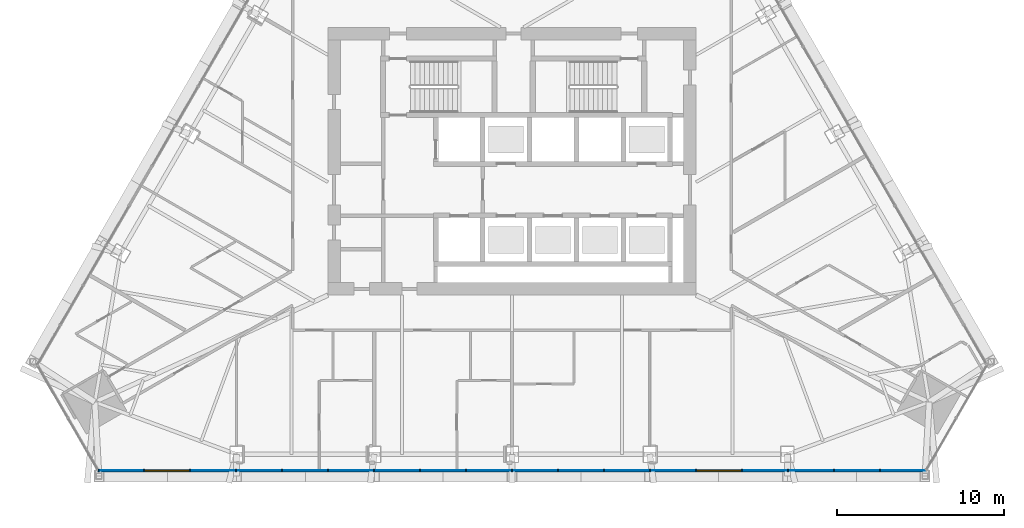
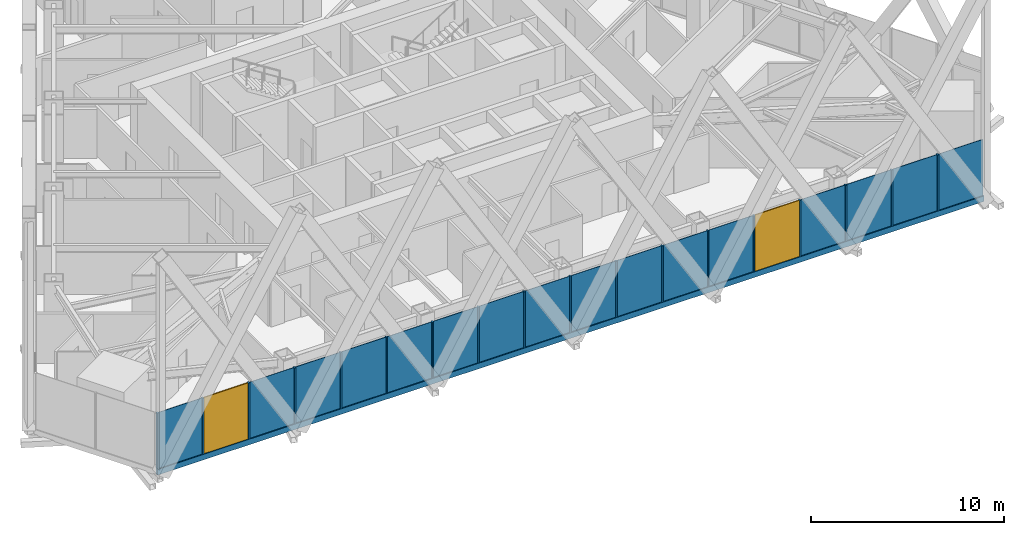
# One storey, part 3 of 19: 19 members, 16 plates, 2 windows, 2 openings, 1 element without a shape of its own.
"""IFC4 building model written with IfcOpenShell, lengths in metres."""

from ifc_helpers import new_model, si_unit, direction, frame, frame_2d, origin, origin_2d, place, context, subcontext, project, spatial, polyline, rectangle, outline, extrude, material, layer, layer_set, material_profile, profile_set, type_object, element, fill, aggregate, save


model = new_model("IFC4")

# Units and contexts
model_context = context("Model", 3, precision=1e-05, world=origin(), true_north=direction((0.0, 1.0)))
body_context = subcontext(model_context, "Body", "Model", "MODEL_VIEW")
ifc_project = project(units=[si_unit("LENGTHUNIT", "METRE"), si_unit("AREAUNIT", "SQUARE_METRE"), si_unit("VOLUMEUNIT", "CUBIC_METRE"), si_unit("PLANEANGLEUNIT", "RADIAN"), si_unit("MASSUNIT", "GRAM", prefix="KILO")], contexts=[model_context])

# Site, building, storey
site_placement = place(None, origin())
site = spatial("IfcSite", under=ifc_project, at=site_placement, CompositionType="ELEMENT")
building_placement = place(site_placement, origin())
building = spatial("IfcBuilding", under=site, at=building_placement, Name="Firuza Gate Tower and Library", CompositionType="ELEMENT")
storey_placement = place(building_placement, frame((0.0, 0.0, 233.800048828125)))
storey = spatial("IfcBuildingStorey", under=building, at=storey_placement, Name="L55", CompositionType="ELEMENT", Elevation=233.800048828125)

# Curtain wall, openings, members, plates, windows
ifc_material_1 = material(Name="Aluminium 6063-T6", Category="aluminium")
ifc_layer_1 = layer(ifc_material_1, 0.14990234375)
ifc_layer_set_1 = layer_set([ifc_layer_1], Name="Unitised curtain wall, hotel")
curtain_wall_type = type_object("IfcCurtainWallType", Name="Unitised curtain wall, hotel", PredefinedType="NOTDEFINED", material=ifc_layer_set_1)
curtain_wall_placement = place(storey_placement, origin())
curtain_wall = element("IfcCurtainWall", 1, at=curtain_wall_placement, inside=storey, type_object=curtain_wall_type, Name="CW2 L55 S face", PredefinedType="NOTDEFINED")
opening_1_placement = place(curtain_wall_placement, frame((53.066650390625, 56.52099609375, 0.14990234375), z_axis=(0.0, 0.0, 1.0), x_axis=(1.0, 0.0, 0.0)))
opening_1 = element("IfcOpeningElement", 2, at=opening_1_placement, cuts=curtain_wall, Name="Opening WD1-003", PredefinedType="OPENING", context=body_context, shape_type="SweptSolid", body=[
    extrude(rectangle(XDim=2.666748046875, YDim=3.550048828125, at=frame_2d((1.33349609375, 1.77490234375))), frame((0.0, 0.0849609375, 0.0), z_axis=(0.0, -1.0, 0.0), x_axis=(1.0, 0.0, 0.0)), (0.0, 0.0, 1.0), 0.169921875),
])
opening_2_placement = place(curtain_wall_placement, frame((86.026611328125, 56.52099609375, 0.14990234375), z_axis=(0.0, 0.0, 1.0), x_axis=(1.0, 0.0, 0.0)))
opening_2 = element("IfcOpeningElement", 3, at=opening_2_placement, cuts=curtain_wall, Name="Opening WD1-004", PredefinedType="OPENING", context=body_context, shape_type="SweptSolid", body=[
    extrude(rectangle(XDim=2.666748046875, YDim=3.550048828125, at=frame_2d((1.33349609375, 1.77490234375))), frame((0.0, 0.0849609375, 0.0), z_axis=(0.0, -1.0, 0.0), x_axis=(1.0, 0.0, 0.0)), (0.0, 0.0, 1.0), 0.169921875),
])
ifc_material_2 = material(Name="Aluminium 6063-T6", Category="aluminium")
ifc_material_profile_1 = material_profile(ifc_material_2, rectangle(XDim=0.14990234375, YDim=0.080078125, at=origin_2d()))
ifc_profile_set_1 = profile_set([ifc_material_profile_1], Name="Aluminium 6063-T6")
member_type_1 = type_object("IfcMemberType", Name="Curtain wall mullion 80x150", PredefinedType="MULLION", material=ifc_profile_set_1)
member_1_placement = place(storey_placement, frame((50.320068359375, 56.52099609375, 0.14990234375), z_axis=(0.0, 0.0, 1.0), x_axis=(0.0, 1.0, 0.0)))
member_1 = element("IfcMember", 4, at=member_1_placement, type_object=member_type_1, Name="Mullion", PredefinedType="MULLION", context=body_context, shape_type="SweptSolid", body=[
    extrude(rectangle(XDim=0.14990234375, YDim=0.080078125, at=origin_2d()), origin(), (0.0, 0.0, 1.0), 3.550048828125),
])
member_2_placement = place(storey_placement, frame((53.026611328125, 56.52099609375, 0.14990234375), z_axis=(0.0, 0.0, 1.0), x_axis=(0.0, 1.0, 0.0)))
member_2 = element("IfcMember", 5, at=member_2_placement, type_object=member_type_1, Name="Mullion", PredefinedType="MULLION", context=body_context, shape_type="SweptSolid", body=[
    extrude(rectangle(XDim=0.14990234375, YDim=0.080078125, at=origin_2d()), origin(), (0.0, 0.0, 1.0), 3.550048828125),
])
member_3_placement = place(storey_placement, frame((55.7734375, 56.52099609375, 0.14990234375), z_axis=(0.0, 0.0, 1.0), x_axis=(0.0, 1.0, 0.0)))
member_3 = element("IfcMember", 6, at=member_3_placement, type_object=member_type_1, Name="Mullion", PredefinedType="MULLION", context=body_context, shape_type="SweptSolid", body=[
    extrude(rectangle(XDim=0.14990234375, YDim=0.080078125, at=origin_2d()), origin(), (0.0, 0.0, 1.0), 3.550048828125),
])
member_4_placement = place(storey_placement, frame((58.52001953125, 56.52099609375, 0.14990234375), z_axis=(0.0, 0.0, 1.0), x_axis=(0.0, 1.0, 0.0)))
member_4 = element("IfcMember", 7, at=member_4_placement, type_object=member_type_1, Name="Mullion", PredefinedType="MULLION", context=body_context, shape_type="SweptSolid", body=[
    extrude(rectangle(XDim=0.14990234375, YDim=0.080078125, at=origin_2d()), origin(), (0.0, 0.0, 1.0), 3.550048828125),
])
member_5_placement = place(storey_placement, frame((61.2666015625, 56.52099609375, 0.14990234375), z_axis=(0.0, 0.0, 1.0), x_axis=(0.0, 1.0, 0.0)))
member_5 = element("IfcMember", 8, at=member_5_placement, type_object=member_type_1, Name="Mullion", PredefinedType="MULLION", context=body_context, shape_type="SweptSolid", body=[
    extrude(rectangle(XDim=0.14990234375, YDim=0.080078125, at=origin_2d()), origin(), (0.0, 0.0, 1.0), 3.550048828125),
])
member_6_placement = place(storey_placement, frame((64.013427734375, 56.52099609375, 0.14990234375), z_axis=(0.0, 0.0, 1.0), x_axis=(0.0, 1.0, 0.0)))
member_6 = element("IfcMember", 9, at=member_6_placement, type_object=member_type_1, Name="Mullion", PredefinedType="MULLION", context=body_context, shape_type="SweptSolid", body=[
    extrude(rectangle(XDim=0.14990234375, YDim=0.080078125, at=origin_2d()), origin(), (0.0, 0.0, 1.0), 3.550048828125),
])
member_7_placement = place(storey_placement, frame((66.760009765625, 56.52099609375, 0.14990234375), z_axis=(0.0, 0.0, 1.0), x_axis=(0.0, 1.0, 0.0)))
member_7 = element("IfcMember", 10, at=member_7_placement, type_object=member_type_1, Name="Mullion", PredefinedType="MULLION", context=body_context, shape_type="SweptSolid", body=[
    extrude(rectangle(XDim=0.14990234375, YDim=0.080078125, at=origin_2d()), origin(), (0.0, 0.0, 1.0), 3.550048828125),
])
member_8_placement = place(storey_placement, frame((69.506591796875, 56.52099609375, 0.14990234375), z_axis=(0.0, 0.0, 1.0), x_axis=(0.0, 1.0, 0.0)))
member_8 = element("IfcMember", 11, at=member_8_placement, type_object=member_type_1, Name="Mullion", PredefinedType="MULLION", context=body_context, shape_type="SweptSolid", body=[
    extrude(rectangle(XDim=0.14990234375, YDim=0.080078125, at=origin_2d()), origin(), (0.0, 0.0, 1.0), 3.550048828125),
])
member_9_placement = place(storey_placement, frame((72.25341796875, 56.52099609375, 0.14990234375), z_axis=(0.0, 0.0, 1.0), x_axis=(0.0, 1.0, 0.0)))
member_9 = element("IfcMember", 12, at=member_9_placement, type_object=member_type_1, Name="Mullion", PredefinedType="MULLION", context=body_context, shape_type="SweptSolid", body=[
    extrude(rectangle(XDim=0.14990234375, YDim=0.080078125, at=origin_2d()), origin(), (0.0, 0.0, 1.0), 3.550048828125),
])
member_10_placement = place(storey_placement, frame((75.0, 56.52099609375, 0.14990234375), z_axis=(0.0, 0.0, 1.0), x_axis=(0.0, 1.0, 0.0)))
member_10 = element("IfcMember", 13, at=member_10_placement, type_object=member_type_1, Name="Mullion", PredefinedType="MULLION", context=body_context, shape_type="SweptSolid", body=[
    extrude(rectangle(XDim=0.14990234375, YDim=0.080078125, at=origin_2d()), origin(), (0.0, 0.0, 1.0), 3.550048828125),
])
member_11_placement = place(storey_placement, frame((77.74658203125, 56.52099609375, 0.14990234375), z_axis=(0.0, 0.0, 1.0), x_axis=(0.0, 1.0, 0.0)))
member_11 = element("IfcMember", 14, at=member_11_placement, type_object=member_type_1, Name="Mullion", PredefinedType="MULLION", context=body_context, shape_type="SweptSolid", body=[
    extrude(rectangle(XDim=0.14990234375, YDim=0.080078125, at=origin_2d()), origin(), (0.0, 0.0, 1.0), 3.550048828125),
])
member_12_placement = place(storey_placement, frame((80.493408203125, 56.52099609375, 0.14990234375), z_axis=(0.0, 0.0, 1.0), x_axis=(0.0, 1.0, 0.0)))
member_12 = element("IfcMember", 15, at=member_12_placement, type_object=member_type_1, Name="Mullion", PredefinedType="MULLION", context=body_context, shape_type="SweptSolid", body=[
    extrude(rectangle(XDim=0.14990234375, YDim=0.080078125, at=origin_2d()), origin(), (0.0, 0.0, 1.0), 3.550048828125),
])
member_13_placement = place(storey_placement, frame((83.239990234375, 56.52099609375, 0.14990234375), z_axis=(0.0, 0.0, 1.0), x_axis=(0.0, 1.0, 0.0)))
member_13 = element("IfcMember", 16, at=member_13_placement, type_object=member_type_1, Name="Mullion", PredefinedType="MULLION", context=body_context, shape_type="SweptSolid", body=[
    extrude(rectangle(XDim=0.14990234375, YDim=0.080078125, at=origin_2d()), origin(), (0.0, 0.0, 1.0), 3.550048828125),
])
member_14_placement = place(storey_placement, frame((85.986572265625, 56.52099609375, 0.14990234375), z_axis=(0.0, 0.0, 1.0), x_axis=(0.0, 1.0, 0.0)))
member_14 = element("IfcMember", 17, at=member_14_placement, type_object=member_type_1, Name="Mullion", PredefinedType="MULLION", context=body_context, shape_type="SweptSolid", body=[
    extrude(rectangle(XDim=0.14990234375, YDim=0.080078125, at=origin_2d()), origin(), (0.0, 0.0, 1.0), 3.550048828125),
])
member_15_placement = place(storey_placement, frame((88.7333984375, 56.52099609375, 0.14990234375), z_axis=(0.0, 0.0, 1.0), x_axis=(0.0, 1.0, 0.0)))
member_15 = element("IfcMember", 18, at=member_15_placement, type_object=member_type_1, Name="Mullion", PredefinedType="MULLION", context=body_context, shape_type="SweptSolid", body=[
    extrude(rectangle(XDim=0.14990234375, YDim=0.080078125, at=origin_2d()), origin(), (0.0, 0.0, 1.0), 3.550048828125),
])
member_16_placement = place(storey_placement, frame((91.47998046875, 56.52099609375, 0.14990234375), z_axis=(0.0, 0.0, 1.0), x_axis=(0.0, 1.0, 0.0)))
member_16 = element("IfcMember", 19, at=member_16_placement, type_object=member_type_1, Name="Mullion", PredefinedType="MULLION", context=body_context, shape_type="SweptSolid", body=[
    extrude(rectangle(XDim=0.14990234375, YDim=0.080078125, at=origin_2d()), origin(), (0.0, 0.0, 1.0), 3.550048828125),
])
member_17_placement = place(storey_placement, frame((94.2265625, 56.52099609375, 0.14990234375), z_axis=(0.0, 0.0, 1.0), x_axis=(0.0, 1.0, 0.0)))
member_17 = element("IfcMember", 20, at=member_17_placement, type_object=member_type_1, Name="Mullion", PredefinedType="MULLION", context=body_context, shape_type="SweptSolid", body=[
    extrude(rectangle(XDim=0.14990234375, YDim=0.080078125, at=origin_2d()), origin(), (0.0, 0.0, 1.0), 3.550048828125),
])
member_18_placement = place(storey_placement, frame((96.973388671875, 56.52099609375, 0.14990234375), z_axis=(0.0, 0.0, 1.0), x_axis=(0.0, 1.0, 0.0)))
member_18 = element("IfcMember", 21, at=member_18_placement, type_object=member_type_1, Name="Mullion", PredefinedType="MULLION", context=body_context, shape_type="SweptSolid", body=[
    extrude(rectangle(XDim=0.14990234375, YDim=0.080078125, at=origin_2d()), origin(), (0.0, 0.0, 1.0), 3.550048828125),
])
ifc_material_3 = material(Name="Aluminium 6063-T6", Category="aluminium")
ifc_material_profile_2 = material_profile(ifc_material_3, rectangle(XDim=0.14990234375, YDim=0.35009765625, at=origin_2d()))
ifc_profile_set_2 = profile_set([ifc_material_profile_2], Name="Aluminium 6063-T6")
member_type_2 = type_object("IfcMemberType", Name="Curtain wall transom 350x150", PredefinedType="USERDEFINED", material=ifc_profile_set_2)
member_19_placement = place(storey_placement, frame((50.280029296875, 56.52099609375, -0.025146484375), z_axis=(1.0, 0.0, 0.0), x_axis=(0.0, 1.0, 0.0)))
member_19 = element("IfcMember", 22, at=member_19_placement, type_object=member_type_2, Name="Transom", ObjectType="TRANSOM", PredefinedType="USERDEFINED", context=body_context, shape_type="SweptSolid", body=[
    extrude(rectangle(XDim=0.14990234375, YDim=0.35009765625, at=origin_2d()), origin(), (0.0, 0.0, 1.0), 49.43994140625),
])
ifc_material_4 = material(Name="Fritted glass", Category="glass")
ifc_layer_2 = layer(ifc_material_4, 0.030029296875)
ifc_layer_set_2 = layer_set([ifc_layer_2], Name="Fritted glass unit, hotel")
plate_type_1 = type_object("IfcPlateType", Name="Fritted glass unit, hotel", PredefinedType="CURTAIN_PANEL", material=ifc_layer_set_2)
plate_1_placement = place(storey_placement, frame((61.306640625, 56.506103515625, 0.14990234375), z_axis=(0.0, -1.0, 0.0), x_axis=(1.0, 0.0, 0.0)))
plate_1 = element("IfcPlate", 23, at=plate_1_placement, type_object=plate_type_1, Name="Glass unit", PredefinedType="CURTAIN_PANEL", context=body_context, shape_type="SweptSolid", body=[
    extrude(outline(polyline([(0.0, 0.0), (2.666748046875, 0.0), (2.666748046875, 3.550048828125), (0.0, 3.550048828125), (0.0, 0.0)])), origin(), (0.0, 0.0, -1.0), 0.030029296875),
])
plate_2_placement = place(storey_placement, frame((69.546630859375, 56.506103515625, 0.14990234375), z_axis=(0.0, -1.0, 0.0), x_axis=(1.0, 0.0, 0.0)))
plate_2 = element("IfcPlate", 24, at=plate_2_placement, type_object=plate_type_1, Name="Glass unit", PredefinedType="CURTAIN_PANEL", context=body_context, shape_type="SweptSolid", body=[
    extrude(outline(polyline([(0.0, 0.0), (2.666748046875, 0.0), (2.666748046875, 3.550048828125), (0.0, 3.550048828125), (0.0, 0.0)])), origin(), (0.0, 0.0, -1.0), 0.030029296875),
])
plate_3_placement = place(storey_placement, frame((77.78662109375, 56.506103515625, 0.14990234375), z_axis=(0.0, -1.0, 0.0), x_axis=(1.0, 0.0, 0.0)))
plate_3 = element("IfcPlate", 25, at=plate_3_placement, type_object=plate_type_1, Name="Glass unit", PredefinedType="CURTAIN_PANEL", context=body_context, shape_type="SweptSolid", body=[
    extrude(outline(polyline([(0.0, 0.0), (2.666748046875, 0.0), (2.666748046875, 3.550048828125), (0.0, 3.550048828125), (0.0, 0.0)])), origin(), (0.0, 0.0, -1.0), 0.030029296875),
])
plate_4_placement = place(storey_placement, frame((94.2666015625, 56.506103515625, 0.14990234375), z_axis=(0.0, -1.0, 0.0), x_axis=(1.0, 0.0, 0.0)))
plate_4 = element("IfcPlate", 26, at=plate_4_placement, type_object=plate_type_1, Name="Glass unit", PredefinedType="CURTAIN_PANEL", context=body_context, shape_type="SweptSolid", body=[
    extrude(outline(polyline([(0.0, 0.0), (2.666748046875, 0.0), (2.666748046875, 3.550048828125), (0.0, 3.550048828125), (0.0, 0.0)])), origin(), (0.0, 0.0, -1.0), 0.030029296875),
])
ifc_material_5 = material(Name="Glazed ceramic tile")
ifc_layer_3 = layer(ifc_material_5, 0.030029296875)
ifc_layer_set_3 = layer_set([ifc_layer_3], Name="Opaque ceramic panel, hotel")
plate_type_2 = type_object("IfcPlateType", Name="Opaque ceramic panel, hotel", PredefinedType="CURTAIN_PANEL", material=ifc_layer_set_3)
plate_5_placement = place(storey_placement, frame((50.320068359375, 56.506103515625, 0.14990234375), z_axis=(0.0, -1.0, 0.0), x_axis=(1.0, 0.0, 0.0)))
plate_5 = element("IfcPlate", 27, at=plate_5_placement, type_object=plate_type_2, Name="Opaque ceramic panel", PredefinedType="CURTAIN_PANEL", context=body_context, shape_type="SweptSolid", body=[
    extrude(outline(polyline([(0.0, 0.0), (2.666748046875, 0.0), (2.666748046875, 3.550048828125), (0.0, 3.550048828125), (0.0, 0.0)])), origin(), (0.0, 0.0, -1.0), 0.030029296875),
])
plate_6_placement = place(storey_placement, frame((55.8134765625, 56.506103515625, 0.14990234375), z_axis=(0.0, -1.0, 0.0), x_axis=(1.0, 0.0, 0.0)))
plate_6 = element("IfcPlate", 28, at=plate_6_placement, type_object=plate_type_2, Name="Opaque ceramic panel", PredefinedType="CURTAIN_PANEL", context=body_context, shape_type="SweptSolid", body=[
    extrude(outline(polyline([(0.0, 0.0), (2.66650390625, 0.0), (2.66650390625, 3.550048828125), (0.0, 3.550048828125), (0.0, 0.0)])), origin(), (0.0, 0.0, -1.0), 0.030029296875),
])
plate_7_placement = place(storey_placement, frame((58.56005859375, 56.506103515625, 0.14990234375), z_axis=(0.0, -1.0, 0.0), x_axis=(1.0, 0.0, 0.0)))
plate_7 = element("IfcPlate", 29, at=plate_7_placement, type_object=plate_type_2, Name="Opaque ceramic panel", PredefinedType="CURTAIN_PANEL", context=body_context, shape_type="SweptSolid", body=[
    extrude(outline(polyline([(0.0, 0.0), (2.666748046875, 0.0), (2.666748046875, 3.550048828125), (0.0, 3.550048828125), (0.0, 0.0)])), origin(), (0.0, 0.0, -1.0), 0.030029296875),
])
plate_8_placement = place(storey_placement, frame((64.053466796875, 56.506103515625, 0.14990234375), z_axis=(0.0, -1.0, 0.0), x_axis=(1.0, 0.0, 0.0)))
plate_8 = element("IfcPlate", 30, at=plate_8_placement, type_object=plate_type_2, Name="Opaque ceramic panel", PredefinedType="CURTAIN_PANEL", context=body_context, shape_type="SweptSolid", body=[
    extrude(outline(polyline([(0.0, 0.0), (2.66650390625, 0.0), (2.66650390625, 3.550048828125), (0.0, 3.550048828125), (0.0, 0.0)])), origin(), (0.0, 0.0, -1.0), 0.030029296875),
])
plate_9_placement = place(storey_placement, frame((66.800048828125, 56.506103515625, 0.14990234375), z_axis=(0.0, -1.0, 0.0), x_axis=(1.0, 0.0, 0.0)))
plate_9 = element("IfcPlate", 31, at=plate_9_placement, type_object=plate_type_2, Name="Opaque ceramic panel", PredefinedType="CURTAIN_PANEL", context=body_context, shape_type="SweptSolid", body=[
    extrude(outline(polyline([(0.0, 0.0), (2.666748046875, 0.0), (2.666748046875, 3.550048828125), (0.0, 3.550048828125), (0.0, 0.0)])), origin(), (0.0, 0.0, -1.0), 0.030029296875),
])
plate_10_placement = place(storey_placement, frame((72.29345703125, 56.506103515625, 0.14990234375), z_axis=(0.0, -1.0, 0.0), x_axis=(1.0, 0.0, 0.0)))
plate_10 = element("IfcPlate", 32, at=plate_10_placement, type_object=plate_type_2, Name="Opaque ceramic panel", PredefinedType="CURTAIN_PANEL", context=body_context, shape_type="SweptSolid", body=[
    extrude(outline(polyline([(0.0, 0.0), (2.66650390625, 0.0), (2.66650390625, 3.550048828125), (0.0, 3.550048828125), (0.0, 0.0)])), origin(), (0.0, 0.0, -1.0), 0.030029296875),
])
plate_11_placement = place(storey_placement, frame((75.0400390625, 56.506103515625, 0.14990234375), z_axis=(0.0, -1.0, 0.0), x_axis=(1.0, 0.0, 0.0)))
plate_11 = element("IfcPlate", 33, at=plate_11_placement, type_object=plate_type_2, Name="Opaque ceramic panel", PredefinedType="CURTAIN_PANEL", context=body_context, shape_type="SweptSolid", body=[
    extrude(outline(polyline([(0.0, 0.0), (2.66650390625, 0.0), (2.66650390625, 3.550048828125), (0.0, 3.550048828125), (0.0, 0.0)])), origin(), (0.0, 0.0, -1.0), 0.030029296875),
])
plate_12_placement = place(storey_placement, frame((80.533203125, 56.506103515625, 0.14990234375), z_axis=(0.0, -1.0, 0.0), x_axis=(1.0, 0.0, 0.0)))
plate_12 = element("IfcPlate", 34, at=plate_12_placement, type_object=plate_type_2, Name="Opaque ceramic panel", PredefinedType="CURTAIN_PANEL", context=body_context, shape_type="SweptSolid", body=[
    extrude(outline(polyline([(0.0, 0.0), (2.666748046875, 0.0), (2.666748046875, 3.550048828125), (0.0, 3.550048828125), (0.0, 0.0)])), origin(), (0.0, 0.0, -1.0), 0.030029296875),
])
plate_13_placement = place(storey_placement, frame((83.280029296875, 56.506103515625, 0.14990234375), z_axis=(0.0, -1.0, 0.0), x_axis=(1.0, 0.0, 0.0)))
plate_13 = element("IfcPlate", 35, at=plate_13_placement, type_object=plate_type_2, Name="Opaque ceramic panel", PredefinedType="CURTAIN_PANEL", context=body_context, shape_type="SweptSolid", body=[
    extrude(outline(polyline([(0.0, 0.0), (2.66650390625, 0.0), (2.66650390625, 3.550048828125), (0.0, 3.550048828125), (0.0, 0.0)])), origin(), (0.0, 0.0, -1.0), 0.030029296875),
])
plate_14_placement = place(storey_placement, frame((88.773193359375, 56.506103515625, 0.14990234375), z_axis=(0.0, -1.0, 0.0), x_axis=(1.0, 0.0, 0.0)))
plate_14 = element("IfcPlate", 36, at=plate_14_placement, type_object=plate_type_2, Name="Opaque ceramic panel", PredefinedType="CURTAIN_PANEL", context=body_context, shape_type="SweptSolid", body=[
    extrude(outline(polyline([(0.0, 0.0), (2.666748046875, 0.0), (2.666748046875, 3.550048828125), (0.0, 3.550048828125), (0.0, 0.0)])), origin(), (0.0, 0.0, -1.0), 0.030029296875),
])
plate_15_placement = place(storey_placement, frame((91.52001953125, 56.506103515625, 0.14990234375), z_axis=(0.0, -1.0, 0.0), x_axis=(1.0, 0.0, 0.0)))
plate_15 = element("IfcPlate", 37, at=plate_15_placement, type_object=plate_type_2, Name="Opaque ceramic panel", PredefinedType="CURTAIN_PANEL", context=body_context, shape_type="SweptSolid", body=[
    extrude(outline(polyline([(0.0, 0.0), (2.66650390625, 0.0), (2.66650390625, 3.550048828125), (0.0, 3.550048828125), (0.0, 0.0)])), origin(), (0.0, 0.0, -1.0), 0.030029296875),
])
plate_16_placement = place(storey_placement, frame((97.01318359375, 56.506103515625, 0.14990234375), z_axis=(0.0, -1.0, 0.0), x_axis=(1.0, 0.0, 0.0)))
plate_16 = element("IfcPlate", 38, at=plate_16_placement, type_object=plate_type_2, Name="Opaque ceramic panel", PredefinedType="CURTAIN_PANEL", context=body_context, shape_type="SweptSolid", body=[
    extrude(outline(polyline([(0.0, 0.0), (2.666748046875, 0.0), (2.666748046875, 3.550048828125), (0.0, 3.550048828125), (0.0, 0.0)])), origin(), (0.0, 0.0, -1.0), 0.030029296875),
])
aggregate(curtain_wall, [member_1, member_2, member_3, member_4, member_5, member_6, member_7, member_8, member_9, member_10, member_11, member_12, member_13, member_14, member_15, member_16, member_17, member_18, member_19, plate_5, plate_6, plate_7, plate_1, plate_8, plate_9, plate_2, plate_10, plate_11, plate_3, plate_12, plate_13, plate_14, plate_15, plate_4, plate_16])
ifc_material_6 = material(Name="Aluminium 6063-T6 and glass", Category="aluminium")
ifc_layer_4 = layer(ifc_material_6, 0.030029296875)
ifc_layer_set_4 = layer_set([ifc_layer_4], Name="Operable glazed unit")
window_type = type_object("IfcWindowType", Name="Operable glazed unit", PartitioningType="SINGLE_PANEL", PredefinedType="WINDOW", material=ifc_layer_set_4)
window_1_placement = place(opening_1_placement, origin())
window_1 = element("IfcWindow", 39, at=window_1_placement, inside=storey, type_object=window_type, Name="Operable glazed unit", OverallHeight=3.550048828125, OverallWidth=2.666748046875, PartitioningType="SINGLE_PANEL", PredefinedType="WINDOW", context=body_context, shape_type="SweptSolid", body=[
    extrude(rectangle(XDim=2.666748046875, YDim=3.550048828125, at=frame_2d((1.33349609375, 1.77490234375))), frame((0.0, 0.030029296875, 0.0), z_axis=(0.0, -1.0, 0.0), x_axis=(1.0, 0.0, 0.0)), (0.0, 0.0, 1.0), 0.06005859375),
])
fill(opening_1, window_1)
window_2_placement = place(opening_2_placement, origin())
window_2 = element("IfcWindow", 40, at=window_2_placement, inside=storey, type_object=window_type, Name="Operable glazed unit", OverallHeight=3.550048828125, OverallWidth=2.666748046875, PartitioningType="SINGLE_PANEL", PredefinedType="WINDOW", context=body_context, shape_type="SweptSolid", body=[
    extrude(rectangle(XDim=2.666748046875, YDim=3.550048828125, at=frame_2d((1.33349609375, 1.77490234375))), frame((0.0, 0.030029296875, 0.0), z_axis=(0.0, -1.0, 0.0), x_axis=(1.0, 0.0, 0.0)), (0.0, 0.0, 1.0), 0.06005859375),
])
fill(opening_2, window_2)

save(model, "model.ifc")
